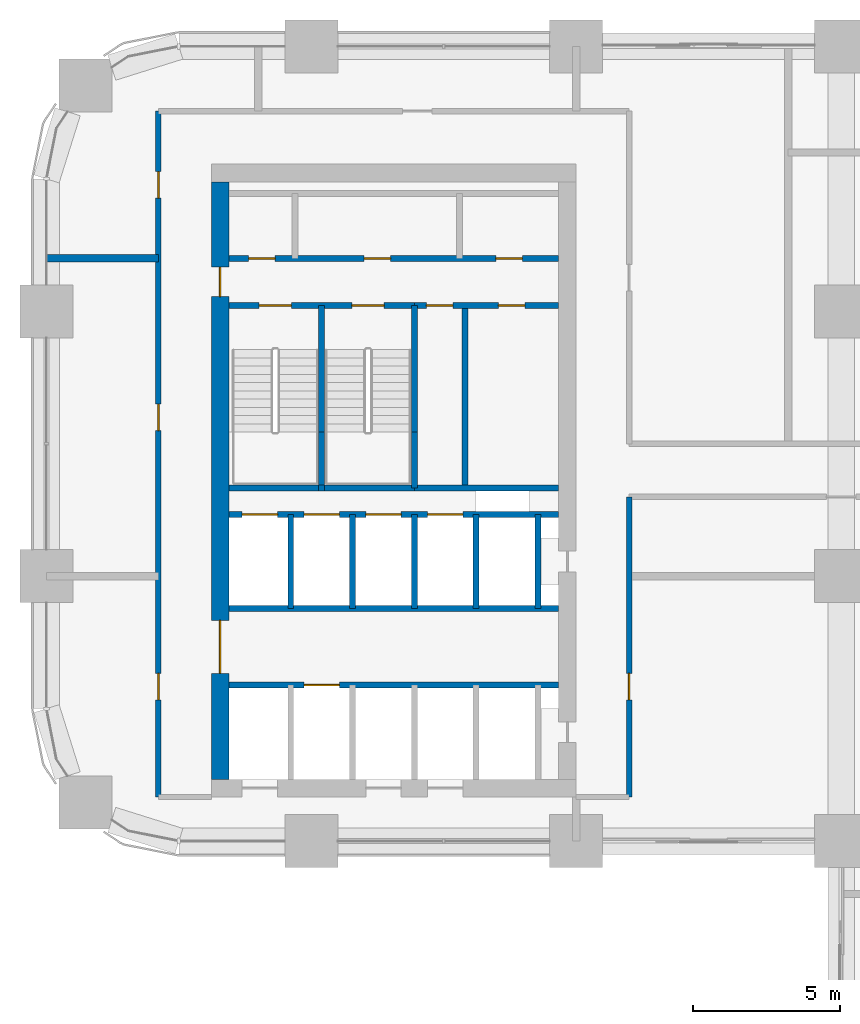
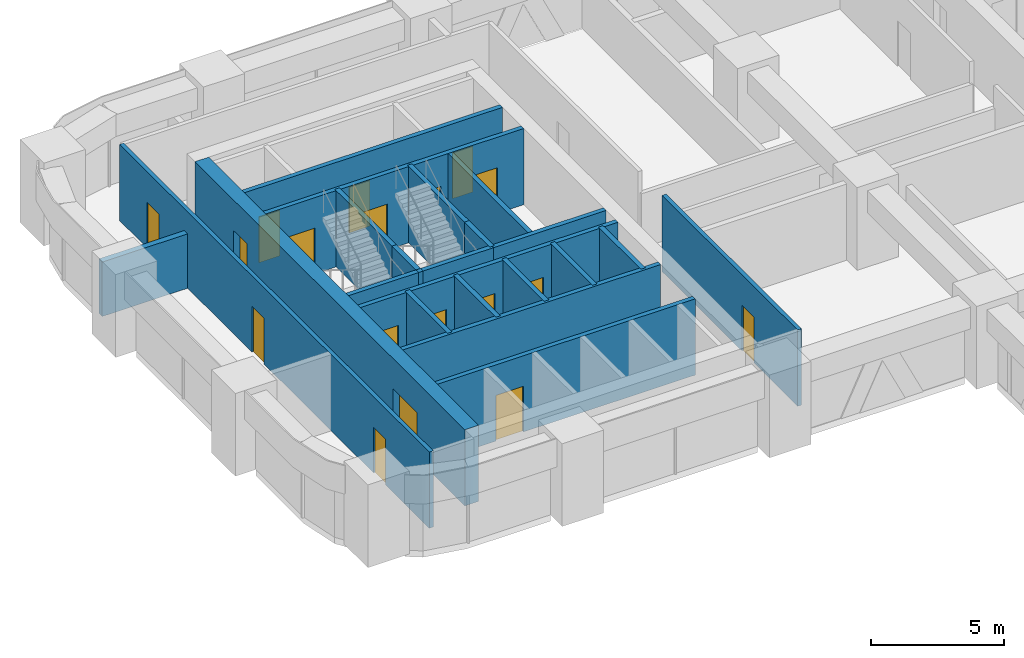
# One storey, part 15 of 24: 24 walls, 18 doors, 18 openings.
"""IFC4 building model written with IfcOpenShell, lengths in metres."""

from ifc_helpers import new_model, si_unit, direction, frame, frame_2d, origin, place, context, subcontext, project, spatial, rectangle, extrude, material, layer, layer_set, type_object, element, fill, save


model = new_model("IFC4")

# Units and contexts
model_context = context("Model", 3, precision=1e-05, world=origin(), true_north=direction((0.0, 1.0)))
body_context = subcontext(model_context, "Body", "Model", "MODEL_VIEW")
ifc_project = project(units=[si_unit("LENGTHUNIT", "METRE"), si_unit("AREAUNIT", "SQUARE_METRE"), si_unit("VOLUMEUNIT", "CUBIC_METRE"), si_unit("PLANEANGLEUNIT", "RADIAN"), si_unit("MASSUNIT", "GRAM", prefix="KILO")], contexts=[model_context])

# Site, building, storey
site_placement = place(None, origin())
site = spatial("IfcSite", under=ifc_project, at=site_placement, CompositionType="ELEMENT")
building_placement = place(site_placement, origin())
building = spatial("IfcBuilding", under=site, at=building_placement, Name="Tessera Arch", CompositionType="ELEMENT")
storey_placement = place(building_placement, frame((0.0, 0.0, 112.0)))
storey = spatial("IfcBuildingStorey", under=building, at=storey_placement, Name="L26", CompositionType="ELEMENT", Elevation=112.0)

# Wall
ifc_material_1 = material(Name="Gypsum board on steel stud", Category="steel")
ifc_layer_1 = layer(ifc_material_1, 0.125)
ifc_layer_set_1 = layer_set([ifc_layer_1], Name="Core partition 125 EI 60")
wall_type_1 = type_object("IfcWallType", Name="Core partition 125 EI 60", PredefinedType="PARTITIONING", material=ifc_layer_set_1)
wall_1_placement = place(storey_placement, frame((14.215087890625, 39.0, 0.0), z_axis=(0.0, 0.0, 1.0), x_axis=(0.0, 1.0, 0.0)))
element("IfcWall", 1, at=wall_1_placement, inside=storey, type_object=wall_type_1, Name="L26 C2 partition wall 13", PredefinedType="PARTITIONING", context=body_context, shape_type="SweptSolid", body=[
    extrude(rectangle(XDim=6.199951171875, YDim=0.199951171875, at=frame_2d((3.10009765625, 0.0))), origin(), (0.0, 0.0, 1.0), 3.5),
])

# Wall, openings, doors
wall_2_placement = place(storey_placement, frame((12.5, 45.199951171875, 0.0), z_axis=(0.0, 0.0, 1.0), x_axis=(1.0, 0.0, 0.0)))
wall_2 = element("IfcWall", 2, at=wall_2_placement, inside=storey, type_object=wall_type_1, Name="L26 C2 partition wall 25", PredefinedType="PARTITIONING", context=body_context, shape_type="SweptSolid", body=[
    extrude(rectangle(XDim=4.89990234375, YDim=0.199951171875, at=frame_2d((2.449951171875, 0.0))), origin(), (0.0, 0.0, 1.0), 3.5),
])
opening_1_placement = place(wall_2_placement, frame((0.407470703125, 0.0, 0.0)))
opening_1 = element("IfcOpeningElement", 3, at=opening_1_placement, cuts=wall_2, Name="Opening L26-C31", PredefinedType="OPENING", context=body_context, shape_type="SweptSolid", body=[
    extrude(rectangle(XDim=0.89990234375, YDim=2.10009765625, at=frame_2d((0.449951171875, 1.050048828125))), frame((0.0, 0.10986328125, 0.0), z_axis=(0.0, -1.0, 0.0), x_axis=(1.0, 0.0, 0.0)), (0.0, 0.0, 1.0), 0.219970703125),
])
opening_2_placement = place(wall_2_placement, frame((2.857421875, 0.0, 0.0)))
opening_2 = element("IfcOpeningElement", 4, at=opening_2_placement, cuts=wall_2, Name="Opening L26-C32", PredefinedType="OPENING", context=body_context, shape_type="SweptSolid", body=[
    extrude(rectangle(XDim=0.89990234375, YDim=2.10009765625, at=frame_2d((0.449951171875, 1.050048828125))), frame((0.0, 0.10986328125, 0.0), z_axis=(0.0, -1.0, 0.0), x_axis=(1.0, 0.0, 0.0)), (0.0, 0.0, 1.0), 0.219970703125),
])
ifc_material_2 = material(Name="Steel door leaf", Category="steel")
door_type_1 = type_object("IfcDoorType", Name="Store door FD30S 900 x 2100", OperationType="SINGLE_SWING_LEFT", PredefinedType="DOOR", material=ifc_material_2)
door_1_placement = place(opening_1_placement, origin())
door_1 = element("IfcDoor", 5, at=door_1_placement, inside=storey, type_object=door_type_1, Name="L26 C2 door 18 C31 type D09", OperationType="SINGLE_SWING_LEFT", OverallHeight=2.10009765625, OverallWidth=0.89990234375, PredefinedType="DOOR", context=body_context, shape_type="SweptSolid", body=[
    extrude(rectangle(XDim=0.89990234375, YDim=2.10009765625, at=frame_2d((0.449951171875, 1.050048828125))), frame((0.0, 0.02490234375, 0.0), z_axis=(0.0, -1.0, 0.0), x_axis=(1.0, 0.0, 0.0)), (0.0, 0.0, 1.0), 0.050048828125),
])
fill(opening_1, door_1)
door_2_placement = place(opening_2_placement, origin())
door_2 = element("IfcDoor", 6, at=door_2_placement, inside=storey, type_object=door_type_1, Name="L26 C2 door 19 C32 type D09", OperationType="SINGLE_SWING_RIGHT", OverallHeight=2.10009765625, OverallWidth=0.89990234375, PredefinedType="DOOR", context=body_context, shape_type="SweptSolid", body=[
    extrude(rectangle(XDim=0.89990234375, YDim=2.10009765625, at=frame_2d((0.449951171875, 1.050048828125))), frame((0.0, 0.02490234375, 0.0), z_axis=(0.0, -1.0, 0.0), x_axis=(1.0, 0.0, 0.0)), (0.0, 0.0, 1.0), 0.050048828125),
])
fill(opening_2, door_2)

wall_3_placement = place(storey_placement, frame((6.199951171875, 46.800048828125, 0.0), z_axis=(0.0, 0.0, 1.0), x_axis=(1.0, 0.0, 0.0)))
wall_3 = element("IfcWall", 7, at=wall_3_placement, inside=storey, type_object=wall_type_1, Name="L26 C2 partition wall 27", PredefinedType="PARTITIONING", context=body_context, shape_type="SweptSolid", body=[
    extrude(rectangle(XDim=11.199951171875, YDim=0.199951171875, at=frame_2d((5.60009765625, 0.0))), origin(), (0.0, 0.0, 1.0), 3.5),
])
opening_3_placement = place(wall_3_placement, frame((0.669921875, 0.0, 0.0)))
opening_3 = element("IfcOpeningElement", 8, at=opening_3_placement, cuts=wall_3, Name="Opening L26-C28", PredefinedType="OPENING", context=body_context, shape_type="SweptSolid", body=[
    extrude(rectangle(XDim=0.89990234375, YDim=2.10009765625, at=frame_2d((0.449951171875, 1.050048828125))), frame((0.0, 0.10986328125, 0.0), z_axis=(0.0, -1.0, 0.0), x_axis=(1.0, 0.0, 0.0)), (0.0, 0.0, 1.0), 0.219970703125),
])
opening_4_placement = place(wall_3_placement, frame((4.590087890625, 0.0, 0.0)))
opening_4 = element("IfcOpeningElement", 9, at=opening_4_placement, cuts=wall_3, Name="Opening L26-C29", PredefinedType="OPENING", context=body_context, shape_type="SweptSolid", body=[
    extrude(rectangle(XDim=0.89990234375, YDim=2.10009765625, at=frame_2d((0.449951171875, 1.050048828125))), frame((0.0, 0.10986328125, 0.0), z_axis=(0.0, -1.0, 0.0), x_axis=(1.0, 0.0, 0.0)), (0.0, 0.0, 1.0), 0.219970703125),
])
opening_5_placement = place(wall_3_placement, frame((9.070068359375, 0.0, 0.0)))
opening_5 = element("IfcOpeningElement", 10, at=opening_5_placement, cuts=wall_3, Name="Opening L26-C30", PredefinedType="OPENING", context=body_context, shape_type="SweptSolid", body=[
    extrude(rectangle(XDim=0.89990234375, YDim=2.10009765625, at=frame_2d((0.449951171875, 1.050048828125))), frame((0.0, 0.10986328125, 0.0), z_axis=(0.0, -1.0, 0.0), x_axis=(1.0, 0.0, 0.0)), (0.0, 0.0, 1.0), 0.219970703125),
])
door_3_placement = place(opening_3_placement, origin())
door_3 = element("IfcDoor", 11, at=door_3_placement, inside=storey, type_object=door_type_1, Name="L26 C2 door 15 C28 type D09", OperationType="SINGLE_SWING_LEFT", OverallHeight=2.10009765625, OverallWidth=0.89990234375, PredefinedType="DOOR", context=body_context, shape_type="SweptSolid", body=[
    extrude(rectangle(XDim=0.89990234375, YDim=2.10009765625, at=frame_2d((0.449951171875, 1.050048828125))), frame((0.0, 0.02490234375, 0.0), z_axis=(0.0, -1.0, 0.0), x_axis=(1.0, 0.0, 0.0)), (0.0, 0.0, 1.0), 0.050048828125),
])
fill(opening_3, door_3)
door_4_placement = place(opening_4_placement, origin())
door_4 = element("IfcDoor", 12, at=door_4_placement, inside=storey, type_object=door_type_1, Name="L26 C2 door 16 C29 type D09", OperationType="SINGLE_SWING_LEFT", OverallHeight=2.10009765625, OverallWidth=0.89990234375, PredefinedType="DOOR", context=body_context, shape_type="SweptSolid", body=[
    extrude(rectangle(XDim=0.89990234375, YDim=2.10009765625, at=frame_2d((0.449951171875, 1.050048828125))), frame((0.0, 0.02490234375, 0.0), z_axis=(0.0, -1.0, 0.0), x_axis=(1.0, 0.0, 0.0)), (0.0, 0.0, 1.0), 0.050048828125),
])
fill(opening_4, door_4)
door_5_placement = place(opening_5_placement, origin())
door_5 = element("IfcDoor", 13, at=door_5_placement, inside=storey, type_object=door_type_1, Name="L26 C2 door 17 C30 type D09", OperationType="SINGLE_SWING_RIGHT", OverallHeight=2.10009765625, OverallWidth=0.89990234375, PredefinedType="DOOR", context=body_context, shape_type="SweptSolid", body=[
    extrude(rectangle(XDim=0.89990234375, YDim=2.10009765625, at=frame_2d((0.449951171875, 1.050048828125))), frame((0.0, 0.02490234375, 0.0), z_axis=(0.0, -1.0, 0.0), x_axis=(1.0, 0.0, 0.0)), (0.0, 0.0, 1.0), 0.050048828125),
])
fill(opening_5, door_5)

ifc_material_3 = material(Name="Concrete C70/85", Category="concrete")
ifc_layer_2 = layer(ifc_material_3, 0.60009765625)
ifc_layer_set_2 = layer_set([ifc_layer_2], Name="Core shell wall 600 C70-85")
wall_type_2 = type_object("IfcWallType", Name="Core shell wall 600 C70-85", PredefinedType="SHEAR", material=ifc_layer_set_2)
wall_4_placement = place(storey_placement, frame((5.89990234375, 29.10009765625, 0.0), z_axis=(0.0, 0.0, 1.0), x_axis=(0.0, 1.0, 0.0)))
wall_4 = element("IfcWall", 14, at=wall_4_placement, inside=storey, type_object=wall_type_2, Name="L26 C2 core wall W", PredefinedType="SHEAR", context=body_context, shape_type="SweptSolid", body=[
    extrude(rectangle(XDim=20.2998046875, YDim=0.60009765625, at=frame_2d((10.14990234375, 0.0))), origin(), (0.0, 0.0, 1.0), 3.5),
])
opening_6_placement = place(wall_4_placement, frame((3.60009765625, 0.0, 0.0)))
opening_6 = element("IfcOpeningElement", 15, at=opening_6_placement, cuts=wall_4, Name="Opening L26-C24", PredefinedType="OPENING", context=body_context, shape_type="SweptSolid", body=[
    extrude(rectangle(XDim=1.800048828125, YDim=2.10009765625, at=frame_2d((0.89990234375, 1.050048828125))), frame((0.0, 0.31005859375, 0.0), z_axis=(0.0, -1.0, 0.0), x_axis=(1.0, 0.0, 0.0)), (0.0, 0.0, 1.0), 0.6201171875),
])
opening_7_placement = place(wall_4_placement, frame((16.39990234375, 0.0, 0.0)))
opening_7 = element("IfcOpeningElement", 16, at=opening_7_placement, cuts=wall_4, Name="Opening L26-C27", PredefinedType="OPENING", context=body_context, shape_type="SweptSolid", body=[
    extrude(rectangle(XDim=1.0, YDim=2.10009765625, at=frame_2d((0.5, 1.050048828125))), frame((0.0, 0.31005859375, 0.0), z_axis=(0.0, -1.0, 0.0), x_axis=(1.0, 0.0, 0.0)), (0.0, 0.0, 1.0), 0.6201171875),
])
ifc_material_4 = material(Name="Steel door leaf", Category="steel")
door_type_2 = type_object("IfcDoorType", Name="Corridor door FD60 1000 x 2100", OperationType="SINGLE_SWING_LEFT", PredefinedType="DOOR", material=ifc_material_4)
door_6_placement = place(opening_7_placement, origin())
door_6 = element("IfcDoor", 17, at=door_6_placement, inside=storey, type_object=door_type_2, Name="L26 C2 door 14 C27 type D12", OperationType="SINGLE_SWING_RIGHT", OverallHeight=2.10009765625, OverallWidth=1.0, PredefinedType="DOOR", context=body_context, shape_type="SweptSolid", body=[
    extrude(rectangle(XDim=1.0, YDim=2.10009765625, at=frame_2d((0.5, 1.050048828125))), frame((0.0, 0.02490234375, 0.0), z_axis=(0.0, -1.0, 0.0), x_axis=(1.0, 0.0, 0.0)), (0.0, 0.0, 1.0), 0.050048828125),
])
fill(opening_7, door_6)
ifc_material_5 = material(Name="Glazed steel door leaf", Category="steel")
door_type_3 = type_object("IfcDoorType", Name="Lobby double door FD30S 1800 x 2100", OperationType="DOUBLE_DOOR_SINGLE_SWING", PredefinedType="DOOR", material=ifc_material_5)
door_7_placement = place(opening_6_placement, origin())
door_7 = element("IfcDoor", 18, at=door_7_placement, inside=storey, type_object=door_type_3, Name="L26 C2 door 11 C24 type D06", OperationType="DOUBLE_DOOR_SINGLE_SWING", OverallHeight=2.10009765625, OverallWidth=1.800048828125, PredefinedType="DOOR", context=body_context, shape_type="SweptSolid", body=[
    extrude(rectangle(XDim=1.800048828125, YDim=2.10009765625, at=frame_2d((0.89990234375, 1.050048828125))), frame((0.0, 0.02490234375, 0.0), z_axis=(0.0, -1.0, 0.0), x_axis=(1.0, 0.0, 0.0)), (0.0, 0.0, 1.0), 0.050048828125),
])
fill(opening_6, door_7)

ifc_material_6 = material(Name="Gypsum board on deep steel stud with mineral wool", Category="steel")
ifc_layer_3 = layer(ifc_material_6, 0.175048828125)
ifc_layer_set_3 = layer_set([ifc_layer_3], Name="Corridor wall 175 EI 60")
wall_type_3 = type_object("IfcWallType", Name="Corridor wall 175 EI 60", PredefinedType="PARTITIONING", material=ifc_layer_set_3)
wall_5_placement = place(storey_placement, frame((3.800048828125, 28.5, 0.0), z_axis=(0.0, 0.0, 1.0), x_axis=(0.0, 1.0, 0.0)))
wall_5 = element("IfcWall", 19, at=wall_5_placement, inside=storey, type_object=wall_type_3, Name="L26 partition 11", PredefinedType="PARTITIONING", context=body_context, shape_type="SweptSolid", body=[
    extrude(rectangle(XDim=23.300048828125, YDim=0.175048828125, at=frame_2d((11.64990234375, 0.0))), origin(), (0.0, 0.0, 1.0), 3.5),
])
opening_8_placement = place(wall_5_placement, frame((3.300048828125, 0.0, 0.0)))
opening_8 = element("IfcOpeningElement", 20, at=opening_8_placement, cuts=wall_5, Name="Opening L26-D025", PredefinedType="OPENING", context=body_context, shape_type="SweptSolid", body=[
    extrude(rectangle(XDim=0.89990234375, YDim=2.10009765625, at=frame_2d((0.449951171875, 1.050048828125))), frame((0.0, 0.097412109375, 0.0), z_axis=(0.0, -1.0, 0.0), x_axis=(1.0, 0.0, 0.0)), (0.0, 0.0, 1.0), 0.195068359375),
])
opening_9_placement = place(wall_5_placement, frame((12.449951171875, 0.0, 0.0)))
opening_9 = element("IfcOpeningElement", 21, at=opening_9_placement, cuts=wall_5, Name="Opening L26-D030", PredefinedType="OPENING", context=body_context, shape_type="SweptSolid", body=[
    extrude(rectangle(XDim=0.89990234375, YDim=2.10009765625, at=frame_2d((0.449951171875, 1.050048828125))), frame((0.0, 0.097412109375, 0.0), z_axis=(0.0, -1.0, 0.0), x_axis=(1.0, 0.0, 0.0)), (0.0, 0.0, 1.0), 0.195068359375),
])
opening_10_placement = place(wall_5_placement, frame((20.35009765625, 0.0, 0.0)))
opening_10 = element("IfcOpeningElement", 22, at=opening_10_placement, cuts=wall_5, Name="Opening L26-D034", PredefinedType="OPENING", context=body_context, shape_type="SweptSolid", body=[
    extrude(rectangle(XDim=0.89990234375, YDim=2.10009765625, at=frame_2d((0.449951171875, 1.050048828125))), frame((0.0, 0.097412109375, 0.0), z_axis=(0.0, -1.0, 0.0), x_axis=(1.0, 0.0, 0.0)), (0.0, 0.0, 1.0), 0.195068359375),
])
ifc_material_7 = material(Name="Timber door leaf", Category="wood")
door_type_4 = type_object("IfcDoorType", Name="Room door 900 x 2100", OperationType="SINGLE_SWING_LEFT", PredefinedType="DOOR", material=ifc_material_7)
door_8_placement = place(opening_8_placement, origin())
door_8 = element("IfcDoor", 23, at=door_8_placement, inside=storey, type_object=door_type_4, Name="L26 door D025 type D01", OperationType="SINGLE_SWING_LEFT", OverallHeight=2.10009765625, OverallWidth=0.89990234375, PredefinedType="DOOR", context=body_context, shape_type="SweptSolid", body=[
    extrude(rectangle(XDim=0.89990234375, YDim=2.10009765625, at=frame_2d((0.449951171875, 1.050048828125))), frame((0.0, 0.02490234375, 0.0), z_axis=(0.0, -1.0, 0.0), x_axis=(1.0, 0.0, 0.0)), (0.0, 0.0, 1.0), 0.050048828125),
])
fill(opening_8, door_8)
door_9_placement = place(opening_9_placement, origin())
door_9 = element("IfcDoor", 24, at=door_9_placement, inside=storey, type_object=door_type_4, Name="L26 door D030 type D01", OperationType="SINGLE_SWING_RIGHT", OverallHeight=2.10009765625, OverallWidth=0.89990234375, PredefinedType="DOOR", context=body_context, shape_type="SweptSolid", body=[
    extrude(rectangle(XDim=0.89990234375, YDim=2.10009765625, at=frame_2d((0.449951171875, 1.050048828125))), frame((0.0, 0.02490234375, 0.0), z_axis=(0.0, -1.0, 0.0), x_axis=(1.0, 0.0, 0.0)), (0.0, 0.0, 1.0), 0.050048828125),
])
fill(opening_9, door_9)
door_10_placement = place(opening_10_placement, origin())
door_10 = element("IfcDoor", 25, at=door_10_placement, inside=storey, type_object=door_type_4, Name="L26 door D034 type D01", OperationType="SINGLE_SWING_RIGHT", OverallHeight=2.10009765625, OverallWidth=0.89990234375, PredefinedType="DOOR", context=body_context, shape_type="SweptSolid", body=[
    extrude(rectangle(XDim=0.89990234375, YDim=2.10009765625, at=frame_2d((0.449951171875, 1.050048828125))), frame((0.0, 0.02490234375, 0.0), z_axis=(0.0, -1.0, 0.0), x_axis=(1.0, 0.0, 0.0)), (0.0, 0.0, 1.0), 0.050048828125),
])
fill(opening_10, door_10)

# Wall, opening, door
wall_6_placement = place(storey_placement, frame((19.800048828125, 28.5, 0.0), z_axis=(0.0, 0.0, 1.0), x_axis=(0.0, 1.0, 0.0)))
wall_6 = element("IfcWall", 26, at=wall_6_placement, inside=storey, type_object=wall_type_3, Name="L26 partition 12", PredefinedType="PARTITIONING", context=body_context, shape_type="SweptSolid", body=[
    extrude(rectangle(XDim=10.199951171875, YDim=0.175048828125, at=frame_2d((5.10009765625, 0.0))), origin(), (0.0, 0.0, 1.0), 3.5),
])
opening_11_placement = place(wall_6_placement, frame((3.300048828125, 0.0, 0.0)))
opening_11 = element("IfcOpeningElement", 27, at=opening_11_placement, cuts=wall_6, Name="Opening L26-D027", PredefinedType="OPENING", context=body_context, shape_type="SweptSolid", body=[
    extrude(rectangle(XDim=0.89990234375, YDim=2.10009765625, at=frame_2d((0.449951171875, 1.050048828125))), frame((0.0, 0.097412109375, 0.0), z_axis=(0.0, -1.0, 0.0), x_axis=(1.0, 0.0, 0.0)), (0.0, 0.0, 1.0), 0.195068359375),
])
door_11_placement = place(opening_11_placement, origin())
door_11 = element("IfcDoor", 28, at=door_11_placement, inside=storey, type_object=door_type_4, Name="L26 door D027 type D01", OperationType="SINGLE_SWING_RIGHT", OverallHeight=2.10009765625, OverallWidth=0.89990234375, PredefinedType="DOOR", context=body_context, shape_type="SweptSolid", body=[
    extrude(rectangle(XDim=0.89990234375, YDim=2.10009765625, at=frame_2d((0.449951171875, 1.050048828125))), frame((0.0, 0.02490234375, 0.0), z_axis=(0.0, -1.0, 0.0), x_axis=(1.0, 0.0, 0.0)), (0.0, 0.0, 1.0), 0.050048828125),
])
fill(opening_11, door_11)

# Walls
ifc_material_8 = material(Name="Double gypsum board on twin steel stud with acoustic mineral wool", Category="steel")
ifc_layer_4 = layer(ifc_material_8, 0.25)
ifc_layer_set_4 = layer_set([ifc_layer_4], Name="Party wall 250 EI 60")
wall_type_4 = type_object("IfcWallType", Name="Party wall 250 EI 60", PredefinedType="PARTITIONING", material=ifc_layer_set_4)
wall_7_placement = place(storey_placement, frame((0.0, 46.800048828125, 0.0), z_axis=(0.0, 0.0, 1.0), x_axis=(1.0, 0.0, 0.0)))
element("IfcWall", 29, at=wall_7_placement, inside=storey, type_object=wall_type_4, Name="L26 partition 41", PredefinedType="PARTITIONING", context=body_context, shape_type="SweptSolid", body=[
    extrude(rectangle(XDim=3.800048828125, YDim=0.25, at=frame_2d((1.89990234375, 0.0))), origin(), (0.0, 0.0, 1.0), 2.5),
])
ifc_material_9 = material(Name="Concrete C40/50", Category="concrete")
ifc_layer_5 = layer(ifc_material_9, 0.199951171875)
ifc_layer_set_5 = layer_set([ifc_layer_5], Name="Shaft wall 200 EI 120")
wall_type_5 = type_object("IfcWallType", Name="Shaft wall 200 EI 120", PredefinedType="SOLIDWALL", material=ifc_layer_set_5)
for number, where, z_axis, x_axis, name in (
    (30, (8.300048828125, 34.89990234375, 0.0), (0.0, 0.0, 1.0), (0.0, 1.0, 0.0), "L26 C2 shaft wall 2"),
    (31, (10.39990234375, 34.89990234375, 0.0), (0.0, 0.0, 1.0), (0.0, 1.0, 0.0), "L26 C2 shaft wall 7"),
    (32, (12.5, 34.89990234375, 0.0), (0.0, 0.0, 1.0), (0.0, 1.0, 0.0), "L26 C2 shaft wall 9"),
    (33, (14.60009765625, 34.89990234375, 0.0), (0.0, 0.0, 1.0), (0.0, 1.0, 0.0), "L26 C2 shaft wall 15"),
    (34, (16.699951171875, 34.89990234375, 0.0), (0.0, 0.0, 1.0), (0.0, 1.0, 0.0), "L26 C2 shaft wall 17"),
):
    element("IfcWall", number, at=place(storey_placement, frame(where, z_axis=z_axis, x_axis=x_axis)), inside=storey, type_object=wall_type_5, Name=name, PredefinedType="SOLIDWALL", context=body_context, shape_type="SweptSolid", body=[
        extrude(rectangle(XDim=3.2001953125, YDim=0.199951171875, at=frame_2d((1.60009765625, 0.0))), origin(), (0.0, 0.0, 1.0), 3.5),
    ])

# Wall, opening, door
wall_8_placement = place(storey_placement, frame((6.199951171875, 32.300048828125, 0.0), z_axis=(0.0, 0.0, 1.0), x_axis=(1.0, 0.0, 0.0)))
wall_8 = element("IfcWall", 35, at=wall_8_placement, inside=storey, type_object=wall_type_5, Name="L26 C2 shaft wall 18", PredefinedType="SOLIDWALL", context=body_context, shape_type="SweptSolid", body=[
    extrude(rectangle(XDim=11.199951171875, YDim=0.199951171875, at=frame_2d((5.60009765625, 0.0))), origin(), (0.0, 0.0, 1.0), 3.5),
])
opening_12_placement = place(wall_8_placement, frame((2.550048828125, 0.0, 0.0)))
opening_12 = element("IfcOpeningElement", 36, at=opening_12_placement, cuts=wall_8, Name="Opening L26-C15", PredefinedType="OPENING", context=body_context, shape_type="SweptSolid", body=[
    extrude(rectangle(XDim=1.199951171875, YDim=2.10009765625, at=frame_2d((0.60009765625, 1.050048828125))), frame((0.0, 0.10986328125, 0.0), z_axis=(0.0, -1.0, 0.0), x_axis=(1.0, 0.0, 0.0)), (0.0, 0.0, 1.0), 0.219970703125),
])
ifc_material_10 = material(Name="Stainless steel AISI 304", Category="steel")
door_type_5 = type_object("IfcDoorType", Name="Sliding landing door 1200 x 2100", OperationType="SLIDING_TO_LEFT", PredefinedType="DOOR", material=ifc_material_10)
door_12_placement = place(opening_12_placement, origin())
door_12 = element("IfcDoor", 37, at=door_12_placement, inside=storey, type_object=door_type_5, Name="L26 LR2 lift landing door C15 type LD", OperationType="SLIDING_TO_LEFT", OverallHeight=2.10009765625, OverallWidth=1.199951171875, PredefinedType="DOOR", context=body_context, shape_type="SweptSolid", body=[
    extrude(rectangle(XDim=1.199951171875, YDim=2.10009765625, at=frame_2d((0.60009765625, 1.050048828125))), frame((0.0, 0.02490234375, 0.0), z_axis=(0.0, -1.0, 0.0), x_axis=(1.0, 0.0, 0.0)), (0.0, 0.0, 1.0), 0.050048828125),
])
fill(opening_12, door_12)

# Wall
wall_9_placement = place(storey_placement, frame((6.199951171875, 34.89990234375, 0.0), z_axis=(0.0, 0.0, 1.0), x_axis=(1.0, 0.0, 0.0)))
element("IfcWall", 38, at=wall_9_placement, inside=storey, type_object=wall_type_5, Name="L26 C2 shaft wall 19", PredefinedType="SOLIDWALL", context=body_context, shape_type="SweptSolid", body=[
    extrude(rectangle(XDim=11.199951171875, YDim=0.199951171875, at=frame_2d((5.60009765625, 0.0))), origin(), (0.0, 0.0, 1.0), 3.5),
])

# Wall, openings, doors
wall_10_placement = place(storey_placement, frame((6.199951171875, 38.10009765625, 0.0), z_axis=(0.0, 0.0, 1.0), x_axis=(1.0, 0.0, 0.0)))
wall_10 = element("IfcWall", 39, at=wall_10_placement, inside=storey, type_object=wall_type_5, Name="L26 C2 shaft wall 20", PredefinedType="SOLIDWALL", context=body_context, shape_type="SweptSolid", body=[
    extrude(rectangle(XDim=11.199951171875, YDim=0.199951171875, at=frame_2d((5.60009765625, 0.0))), origin(), (0.0, 0.0, 1.0), 3.5),
])
opening_13_placement = place(wall_10_placement, frame((0.449951171875, 0.0, 0.0)))
opening_13 = element("IfcOpeningElement", 40, at=opening_13_placement, cuts=wall_10, Name="Opening L26-C18", PredefinedType="OPENING", context=body_context, shape_type="SweptSolid", body=[
    extrude(rectangle(XDim=1.199951171875, YDim=2.10009765625, at=frame_2d((0.60009765625, 1.050048828125))), frame((0.0, 0.10986328125, 0.0), z_axis=(0.0, -1.0, 0.0), x_axis=(1.0, 0.0, 0.0)), (0.0, 0.0, 1.0), 0.219970703125),
])
opening_14_placement = place(wall_10_placement, frame((2.550048828125, 0.0, 0.0)))
opening_14 = element("IfcOpeningElement", 41, at=opening_14_placement, cuts=wall_10, Name="Opening L26-C19", PredefinedType="OPENING", context=body_context, shape_type="SweptSolid", body=[
    extrude(rectangle(XDim=1.199951171875, YDim=2.10009765625, at=frame_2d((0.60009765625, 1.050048828125))), frame((0.0, 0.10986328125, 0.0), z_axis=(0.0, -1.0, 0.0), x_axis=(1.0, 0.0, 0.0)), (0.0, 0.0, 1.0), 0.219970703125),
])
opening_15_placement = place(wall_10_placement, frame((4.64990234375, 0.0, 0.0)))
opening_15 = element("IfcOpeningElement", 42, at=opening_15_placement, cuts=wall_10, Name="Opening L26-C20", PredefinedType="OPENING", context=body_context, shape_type="SweptSolid", body=[
    extrude(rectangle(XDim=1.199951171875, YDim=2.10009765625, at=frame_2d((0.60009765625, 1.050048828125))), frame((0.0, 0.10986328125, 0.0), z_axis=(0.0, -1.0, 0.0), x_axis=(1.0, 0.0, 0.0)), (0.0, 0.0, 1.0), 0.219970703125),
])
opening_16_placement = place(wall_10_placement, frame((6.75, 0.0, 0.0)))
opening_16 = element("IfcOpeningElement", 43, at=opening_16_placement, cuts=wall_10, Name="Opening L26-C21", PredefinedType="OPENING", context=body_context, shape_type="SweptSolid", body=[
    extrude(rectangle(XDim=1.199951171875, YDim=2.10009765625, at=frame_2d((0.60009765625, 1.050048828125))), frame((0.0, 0.10986328125, 0.0), z_axis=(0.0, -1.0, 0.0), x_axis=(1.0, 0.0, 0.0)), (0.0, 0.0, 1.0), 0.219970703125),
])
door_13_placement = place(opening_13_placement, origin())
door_13 = element("IfcDoor", 44, at=door_13_placement, inside=storey, type_object=door_type_5, Name="L26 LR5 lift landing door C18 type LD", OperationType="SLIDING_TO_LEFT", OverallHeight=2.10009765625, OverallWidth=1.199951171875, PredefinedType="DOOR", context=body_context, shape_type="SweptSolid", body=[
    extrude(rectangle(XDim=1.199951171875, YDim=2.10009765625, at=frame_2d((0.60009765625, 1.050048828125))), frame((0.0, 0.02490234375, 0.0), z_axis=(0.0, -1.0, 0.0), x_axis=(1.0, 0.0, 0.0)), (0.0, 0.0, 1.0), 0.050048828125),
])
fill(opening_13, door_13)
door_14_placement = place(opening_14_placement, origin())
door_14 = element("IfcDoor", 45, at=door_14_placement, inside=storey, type_object=door_type_5, Name="L26 LR6 lift landing door C19 type LD", OperationType="SLIDING_TO_LEFT", OverallHeight=2.10009765625, OverallWidth=1.199951171875, PredefinedType="DOOR", context=body_context, shape_type="SweptSolid", body=[
    extrude(rectangle(XDim=1.199951171875, YDim=2.10009765625, at=frame_2d((0.60009765625, 1.050048828125))), frame((0.0, 0.02490234375, 0.0), z_axis=(0.0, -1.0, 0.0), x_axis=(1.0, 0.0, 0.0)), (0.0, 0.0, 1.0), 0.050048828125),
])
fill(opening_14, door_14)
door_15_placement = place(opening_15_placement, origin())
door_15 = element("IfcDoor", 46, at=door_15_placement, inside=storey, type_object=door_type_5, Name="L26 LR7 lift landing door C20 type LD", OperationType="SLIDING_TO_LEFT", OverallHeight=2.10009765625, OverallWidth=1.199951171875, PredefinedType="DOOR", context=body_context, shape_type="SweptSolid", body=[
    extrude(rectangle(XDim=1.199951171875, YDim=2.10009765625, at=frame_2d((0.60009765625, 1.050048828125))), frame((0.0, 0.02490234375, 0.0), z_axis=(0.0, -1.0, 0.0), x_axis=(1.0, 0.0, 0.0)), (0.0, 0.0, 1.0), 0.050048828125),
])
fill(opening_15, door_15)
door_16_placement = place(opening_16_placement, origin())
door_16 = element("IfcDoor", 47, at=door_16_placement, inside=storey, type_object=door_type_5, Name="L26 LR8 lift landing door C21 type LD", OperationType="SLIDING_TO_LEFT", OverallHeight=2.10009765625, OverallWidth=1.199951171875, PredefinedType="DOOR", context=body_context, shape_type="SweptSolid", body=[
    extrude(rectangle(XDim=1.199951171875, YDim=2.10009765625, at=frame_2d((0.60009765625, 1.050048828125))), frame((0.0, 0.02490234375, 0.0), z_axis=(0.0, -1.0, 0.0), x_axis=(1.0, 0.0, 0.0)), (0.0, 0.0, 1.0), 0.050048828125),
])
fill(opening_16, door_16)

# Walls
wall_11_placement = place(storey_placement, frame((12.5, 39.0, 0.0), z_axis=(0.0, 0.0, 1.0), x_axis=(1.0, 0.0, 0.0)))
element("IfcWall", 48, at=wall_11_placement, inside=storey, type_object=wall_type_5, Name="L26 C2 shaft wall 21", PredefinedType="SOLIDWALL", context=body_context, shape_type="SweptSolid", body=[
    extrude(rectangle(XDim=4.89990234375, YDim=0.199951171875, at=frame_2d((2.449951171875, 0.0))), origin(), (0.0, 0.0, 1.0), 3.5),
])
ifc_material_11 = material(Name="Concrete C40/50", Category="concrete")
ifc_layer_6 = layer(ifc_material_11, 0.199951171875)
ifc_layer_set_6 = layer_set([ifc_layer_6], Name="Stair well wall 200 REI 180")
wall_type_6 = type_object("IfcWallType", Name="Stair well wall 200 REI 180", PredefinedType="SOLIDWALL", material=ifc_layer_set_6)
wall_12_placement = place(storey_placement, frame((9.35009765625, 39.0, 0.0), z_axis=(0.0, 0.0, 1.0), x_axis=(0.0, 1.0, 0.0)))
element("IfcWall", 49, at=wall_12_placement, inside=storey, type_object=wall_type_6, Name="L26 C2 shaft wall 4", PredefinedType="SOLIDWALL", context=body_context, shape_type="SweptSolid", body=[
    extrude(rectangle(XDim=1.89990234375, YDim=0.199951171875, at=frame_2d((0.949951171875, 0.0))), origin(), (0.0, 0.0, 1.0), 3.5),
])
wall_13_placement = place(storey_placement, frame((9.35009765625, 40.89990234375, 0.0), z_axis=(0.0, 0.0, 1.0), x_axis=(0.0, 1.0, 0.0)))
element("IfcWall", 50, at=wall_13_placement, inside=storey, type_object=wall_type_6, Name="L26 C2 shaft wall 5", PredefinedType="SOLIDWALL", context=body_context, shape_type="SweptSolid", body=[
    extrude(rectangle(XDim=4.300048828125, YDim=0.199951171875, at=frame_2d((2.14990234375, 0.0))), origin(), (0.0, 0.0, 1.0), 3.5),
])
wall_14_placement = place(storey_placement, frame((12.5, 39.0, 0.0), z_axis=(0.0, 0.0, 1.0), x_axis=(0.0, 1.0, 0.0)))
element("IfcWall", 51, at=wall_14_placement, inside=storey, type_object=wall_type_6, Name="L26 C2 shaft wall 10", PredefinedType="SOLIDWALL", context=body_context, shape_type="SweptSolid", body=[
    extrude(rectangle(XDim=1.89990234375, YDim=0.199951171875, at=frame_2d((0.949951171875, 0.0))), origin(), (0.0, 0.0, 1.0), 3.5),
])
wall_15_placement = place(storey_placement, frame((12.5, 40.89990234375, 0.0), z_axis=(0.0, 0.0, 1.0), x_axis=(0.0, 1.0, 0.0)))
element("IfcWall", 52, at=wall_15_placement, inside=storey, type_object=wall_type_6, Name="L26 C2 shaft wall 11", PredefinedType="SOLIDWALL", context=body_context, shape_type="SweptSolid", body=[
    extrude(rectangle(XDim=4.300048828125, YDim=0.199951171875, at=frame_2d((2.14990234375, 0.0))), origin(), (0.0, 0.0, 1.0), 3.5),
])
wall_16_placement = place(storey_placement, frame((6.199951171875, 39.0, 0.0), z_axis=(0.0, 0.0, 1.0), x_axis=(1.0, 0.0, 0.0)))
element("IfcWall", 53, at=wall_16_placement, inside=storey, type_object=wall_type_6, Name="L26 C2 shaft wall 22", PredefinedType="SOLIDWALL", context=body_context, shape_type="SweptSolid", body=[
    extrude(rectangle(XDim=3.050048828125, YDim=0.199951171875, at=frame_2d((1.52490234375, 0.0))), origin(), (0.0, 0.0, 1.0), 3.5),
])
wall_17_placement = place(storey_placement, frame((9.25, 39.0, 0.0), z_axis=(0.0, 0.0, 1.0), x_axis=(1.0, 0.0, 0.0)))
element("IfcWall", 54, at=wall_17_placement, inside=storey, type_object=wall_type_6, Name="L26 C2 shaft wall 23", PredefinedType="SOLIDWALL", context=body_context, shape_type="SweptSolid", body=[
    extrude(rectangle(XDim=0.199951171875, YDim=0.199951171875, at=frame_2d((0.10009765625, 0.0))), origin(), (0.0, 0.0, 1.0), 3.5),
])
wall_18_placement = place(storey_placement, frame((9.449951171875, 39.0, 0.0), z_axis=(0.0, 0.0, 1.0), x_axis=(1.0, 0.0, 0.0)))
element("IfcWall", 55, at=wall_18_placement, inside=storey, type_object=wall_type_6, Name="L26 C2 shaft wall 24", PredefinedType="SOLIDWALL", context=body_context, shape_type="SweptSolid", body=[
    extrude(rectangle(XDim=3.050048828125, YDim=0.199951171875, at=frame_2d((1.52490234375, 0.0))), origin(), (0.0, 0.0, 1.0), 3.5),
])

# Wall, openings, doors
wall_19_placement = place(storey_placement, frame((6.199951171875, 45.199951171875, 0.0), z_axis=(0.0, 0.0, 1.0), x_axis=(1.0, 0.0, 0.0)))
wall_19 = element("IfcWall", 56, at=wall_19_placement, inside=storey, type_object=wall_type_6, Name="L26 C2 shaft wall 26", PredefinedType="SOLIDWALL", context=body_context, shape_type="SweptSolid", body=[
    extrude(rectangle(XDim=6.300048828125, YDim=0.199951171875, at=frame_2d((3.14990234375, 0.0))), origin(), (0.0, 0.0, 1.0), 3.5),
])
opening_17_placement = place(wall_19_placement, frame((1.02490234375, 0.0, 0.0)))
opening_17 = element("IfcOpeningElement", 57, at=opening_17_placement, cuts=wall_19, Name="Opening L26-C25", PredefinedType="OPENING", context=body_context, shape_type="SweptSolid", body=[
    extrude(rectangle(XDim=1.10009765625, YDim=2.10009765625, at=frame_2d((0.550048828125, 1.050048828125))), frame((0.0, 0.10986328125, 0.0), z_axis=(0.0, -1.0, 0.0), x_axis=(1.0, 0.0, 0.0)), (0.0, 0.0, 1.0), 0.219970703125),
])
opening_18_placement = place(wall_19_placement, frame((4.175048828125, 0.0, 0.0)))
opening_18 = element("IfcOpeningElement", 58, at=opening_18_placement, cuts=wall_19, Name="Opening L26-C26", PredefinedType="OPENING", context=body_context, shape_type="SweptSolid", body=[
    extrude(rectangle(XDim=1.10009765625, YDim=2.10009765625, at=frame_2d((0.550048828125, 1.050048828125))), frame((0.0, 0.10986328125, 0.0), z_axis=(0.0, -1.0, 0.0), x_axis=(1.0, 0.0, 0.0)), (0.0, 0.0, 1.0), 0.219970703125),
])
ifc_material_12 = material(Name="Steel door leaf", Category="steel")
door_type_6 = type_object("IfcDoorType", Name="Stair door FD60 1100 x 2100", OperationType="SINGLE_SWING_LEFT", PredefinedType="DOOR", material=ifc_material_12)
door_17_placement = place(opening_17_placement, origin())
door_17 = element("IfcDoor", 59, at=door_17_placement, inside=storey, type_object=door_type_6, Name="L26 C2 door 12 C25 type D05", OperationType="SINGLE_SWING_LEFT", OverallHeight=2.10009765625, OverallWidth=1.10009765625, PredefinedType="DOOR", context=body_context, shape_type="SweptSolid", body=[
    extrude(rectangle(XDim=1.10009765625, YDim=2.10009765625, at=frame_2d((0.550048828125, 1.050048828125))), frame((0.0, 0.02490234375, 0.0), z_axis=(0.0, -1.0, 0.0), x_axis=(1.0, 0.0, 0.0)), (0.0, 0.0, 1.0), 0.050048828125),
])
fill(opening_17, door_17)
door_18_placement = place(opening_18_placement, origin())
door_18 = element("IfcDoor", 60, at=door_18_placement, inside=storey, type_object=door_type_6, Name="L26 C2 door 13 C26 type D05", OperationType="SINGLE_SWING_RIGHT", OverallHeight=2.10009765625, OverallWidth=1.10009765625, PredefinedType="DOOR", context=body_context, shape_type="SweptSolid", body=[
    extrude(rectangle(XDim=1.10009765625, YDim=2.10009765625, at=frame_2d((0.550048828125, 1.050048828125))), frame((0.0, 0.02490234375, 0.0), z_axis=(0.0, -1.0, 0.0), x_axis=(1.0, 0.0, 0.0)), (0.0, 0.0, 1.0), 0.050048828125),
])
fill(opening_18, door_18)

save(model, "model.ifc")
